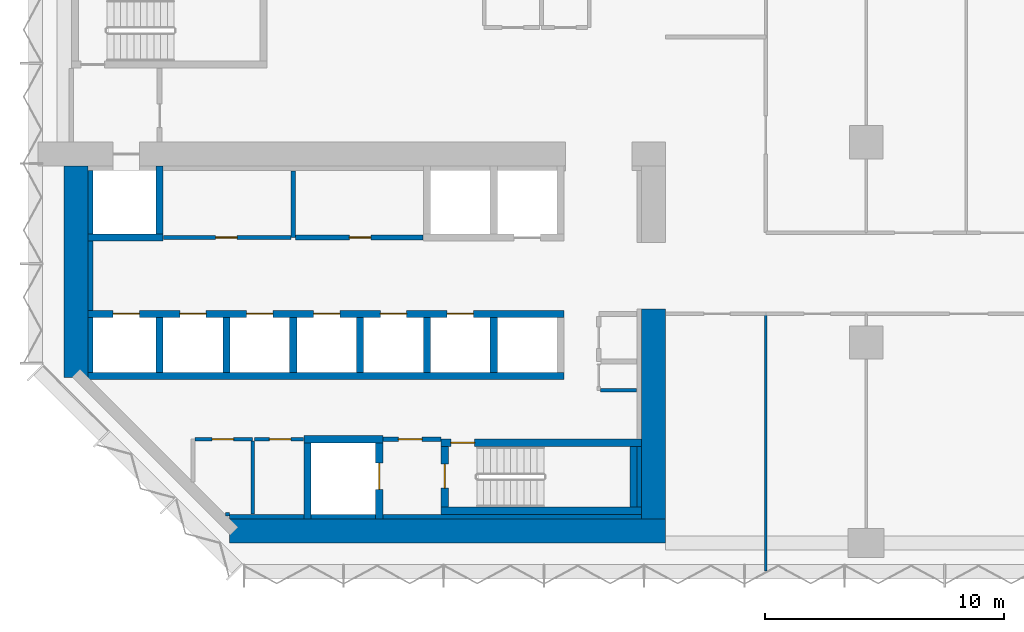
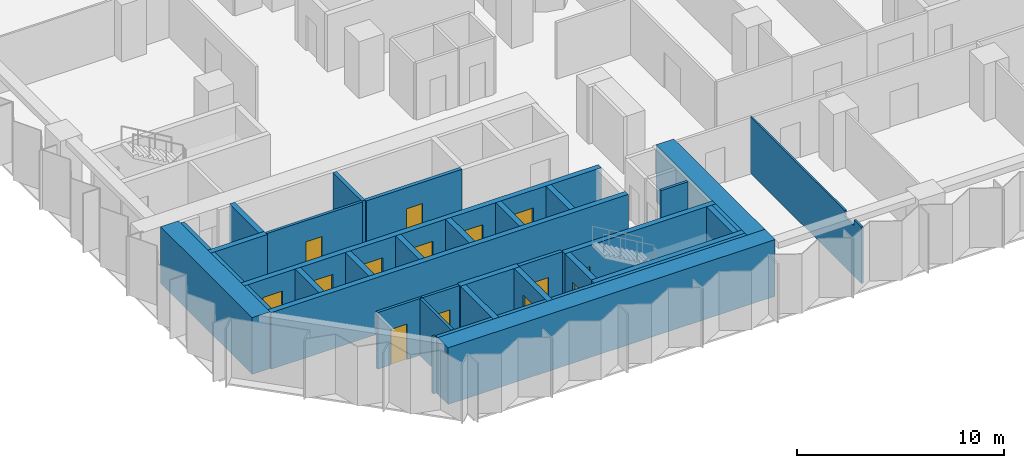
# One storey, part 7 of 15: 37 walls, 14 doors, 14 openings.
"""IFC4 building model written with IfcOpenShell, lengths in metres."""

from ifc_helpers import new_model, si_unit, direction, frame, frame_2d, origin, place, context, subcontext, project, spatial, polyline, rectangle, outline, extrude, material, layer, layer_set, type_object, element, fill, save


model = new_model("IFC4")

# Units and contexts
model_context = context("Model", 3, precision=1e-05, world=origin(), true_north=direction((0.0, 1.0)))
body_context = subcontext(model_context, "Body", "Model", "MODEL_VIEW")
ifc_project = project(units=[si_unit("LENGTHUNIT", "METRE"), si_unit("AREAUNIT", "SQUARE_METRE"), si_unit("VOLUMEUNIT", "CUBIC_METRE"), si_unit("PLANEANGLEUNIT", "RADIAN"), si_unit("MASSUNIT", "GRAM", prefix="KILO")], contexts=[model_context])

# Site, building, storey
site_placement = place(None, origin())
site = spatial("IfcSite", under=ifc_project, at=site_placement, CompositionType="ELEMENT")
building_placement = place(site_placement, origin())
building = spatial("IfcBuilding", under=site, at=building_placement, Name="Brevane Broadcast Tower", CompositionType="ELEMENT")
storey_placement = place(building_placement, frame((0.0, 0.0, 61.699951171875)))
storey = spatial("IfcBuildingStorey", under=building, at=storey_placement, Name="L13", CompositionType="ELEMENT", Elevation=61.699951171875)

# Walls
ifc_material_1 = material(Name="Concrete C32/40", Category="concrete")
ifc_layer_1 = layer(ifc_material_1, 0.199951171875)
ifc_layer_set_1 = layer_set([ifc_layer_1], Name="Core chase wall 200 mm")
wall_type_1 = type_object("IfcWallType", Name="Core chase wall 200 mm", PredefinedType="PARTITIONING", material=ifc_layer_set_1)
wall_1_placement = place(storey_placement, frame((1.10009765625, 7.14990234375, 0.0), z_axis=(0.0, 0.0, 1.0), x_axis=(0.0, 1.0, 0.0)))
element("IfcWall", 1, at=wall_1_placement, inside=storey, type_object=wall_type_1, Name="L13 chase wall LW-2-1", PredefinedType="PARTITIONING", context=body_context, shape_type="SweptSolid", body=[
    extrude(rectangle(XDim=2.300048828125, YDim=0.199951171875, at=frame_2d((1.14990234375, 0.0))), origin(), (0.0, 0.0, 1.0), 3.35009765625),
])
wall_2_placement = place(storey_placement, frame((1.10009765625, 9.75, 0.0), z_axis=(0.0, 0.0, 1.0), x_axis=(0.0, 1.0, 0.0)))
element("IfcWall", 2, at=wall_2_placement, inside=storey, type_object=wall_type_1, Name="L13 chase wall LW-2-2-1", PredefinedType="PARTITIONING", context=body_context, shape_type="SweptSolid", body=[
    extrude(rectangle(XDim=2.89990234375, YDim=0.199951171875, at=frame_2d((1.449951171875, 0.0))), origin(), (0.0, 0.0, 1.0), 3.35009765625),
])
wall_3_placement = place(storey_placement, frame((1.10009765625, 12.949951171875, 0.0), z_axis=(0.0, 0.0, 1.0), x_axis=(0.0, 1.0, 0.0)))
element("IfcWall", 3, at=wall_3_placement, inside=storey, type_object=wall_type_1, Name="L13 chase wall LW-2-2-2", PredefinedType="PARTITIONING", context=body_context, shape_type="SweptSolid", body=[
    extrude(rectangle(XDim=2.650146484375, YDim=0.199951171875, at=frame_2d((1.3251953125, 0.0))), origin(), (0.0, 0.0, 1.0), 3.35009765625),
])
wall_4_placement = place(storey_placement, frame((6.936279296875, 1.10009765625, 0.0), z_axis=(0.0, 0.0, 1.0), x_axis=(1.0, 0.0, 0.0)))
element("IfcWall", 4, at=wall_4_placement, inside=storey, type_object=wall_type_1, Name="L13 chase wall LS-1", PredefinedType="PARTITIONING", context=body_context, shape_type="SweptSolid", body=[
    extrude(rectangle(XDim=3.11376953125, YDim=0.199951171875, at=frame_2d((1.556884765625, 0.0))), origin(), (0.0, 0.0, 1.0), 3.35009765625),
])
wall_5_placement = place(storey_placement, frame((10.35009765625, 1.10009765625, 0.0), z_axis=(0.0, 0.0, 1.0), x_axis=(1.0, 0.0, 0.0)))
element("IfcWall", 5, at=wall_5_placement, inside=storey, type_object=wall_type_1, Name="L13 chase wall LS-2-1", PredefinedType="PARTITIONING", context=body_context, shape_type="SweptSolid", body=[
    extrude(rectangle(XDim=2.699951171875, YDim=0.199951171875, at=frame_2d((1.35009765625, 0.0))), origin(), (0.0, 0.0, 1.0), 3.35009765625),
])
wall_6_placement = place(storey_placement, frame((13.35009765625, 1.10009765625, 0.0), z_axis=(0.0, 0.0, 1.0), x_axis=(1.0, 0.0, 0.0)))
element("IfcWall", 6, at=wall_6_placement, inside=storey, type_object=wall_type_1, Name="L13 chase wall LS-2-2", PredefinedType="PARTITIONING", context=body_context, shape_type="SweptSolid", body=[
    extrude(rectangle(XDim=10.849853515625, YDim=0.199951171875, at=frame_2d((5.4248046875, 0.0))), origin(), (0.0, 0.0, 1.0), 3.35009765625),
])
wall_7_placement = place(storey_placement, frame((24.10009765625, 1.5, 0.0), z_axis=(0.0, 0.0, 1.0), x_axis=(0.0, 1.0, 0.0)))
element("IfcWall", 7, at=wall_7_placement, inside=storey, type_object=wall_type_1, Name="L13 chase wall LE1-2-1", PredefinedType="PARTITIONING", context=body_context, shape_type="SweptSolid", body=[
    extrude(rectangle(XDim=2.550048828125, YDim=0.199951171875, at=frame_2d((1.27490234375, 0.0))), origin(), (0.0, 0.0, 1.0), 3.35009765625),
])

# Wall, opening, door
ifc_material_2 = material(Name="Gypsum board on steel studs", Category="steel")
ifc_layer_2 = layer(ifc_material_2, 0.14990234375)
ifc_layer_set_2 = layer_set([ifc_layer_2], Name="Core fire partition 150 mm")
wall_type_2 = type_object("IfcWallType", Name="Core fire partition 150 mm", PredefinedType="PARTITIONING", material=ifc_layer_set_2)
wall_8_placement = place(storey_placement, frame((4.162109375, 12.800048828125, 0.0), z_axis=(0.0, 0.0, 1.0), x_axis=(1.0, 0.0, 0.0)))
wall_8 = element("IfcWall", 8, at=wall_8_placement, inside=storey, type_object=wall_type_2, Name="L13 partition wall P09", PredefinedType="PARTITIONING", context=body_context, shape_type="SweptSolid", body=[
    extrude(rectangle(XDim=5.337890625, YDim=0.14990234375, at=frame_2d((2.6689453125, 0.0))), origin(), (0.0, 0.0, 1.0), 3.35009765625),
])
opening_1_placement = place(wall_8_placement, frame((2.18798828125, 0.0, 0.0)))
opening_1 = element("IfcOpeningElement", 9, at=opening_1_placement, cuts=wall_8, Name="Opening L13-K21", PredefinedType="OPENING", context=body_context, shape_type="SweptSolid", body=[
    extrude(rectangle(XDim=0.89990234375, YDim=2.10009765625, at=frame_2d((0.449951171875, 1.050048828125))), frame((0.0, 0.0849609375, 0.0), z_axis=(0.0, -1.0, 0.0), x_axis=(1.0, 0.0, 0.0)), (0.0, 0.0, 1.0), 0.169921875),
])
ifc_material_3 = material(Name="Steel", Category="steel")
door_type_1 = type_object("IfcDoorType", Name="Service room door 900 x 2100", OperationType="SINGLE_SWING_LEFT", PredefinedType="DOOR", material=ifc_material_3)
door_1_placement = place(opening_1_placement, origin())
door_1 = element("IfcDoor", 10, at=door_1_placement, inside=storey, type_object=door_type_1, Name="Door L13-K21", OperationType="SINGLE_SWING_RIGHT", OverallHeight=2.10009765625, OverallWidth=0.89990234375, PredefinedType="DOOR", context=body_context, shape_type="SweptSolid", body=[
    extrude(rectangle(XDim=0.89990234375, YDim=2.10009765625, at=frame_2d((0.449951171875, 1.050048828125))), frame((0.0, 0.02490234375, 0.0), z_axis=(0.0, -1.0, 0.0), x_axis=(1.0, 0.0, 0.0)), (0.0, 0.0, 1.0), 0.050048828125),
])
fill(opening_1, door_1)

wall_9_placement = place(storey_placement, frame((5.47509765625, 4.35009765625, 0.0), z_axis=(0.0, 0.0, 1.0), x_axis=(1.0, 0.0, 0.0)))
wall_9 = element("IfcWall", 11, at=wall_9_placement, inside=storey, type_object=wall_type_2, Name="L13 partition wall P11", PredefinedType="PARTITIONING", context=body_context, shape_type="SweptSolid", body=[
    extrude(rectangle(XDim=2.4248046875, YDim=0.14990234375, at=frame_2d((1.21240234375, 0.0))), origin(), (0.0, 0.0, 1.0), 3.35009765625),
])
opening_2_placement = place(wall_9_placement, frame((0.72509765625, 0.0, 0.0)))
opening_2 = element("IfcOpeningElement", 12, at=opening_2_placement, cuts=wall_9, Name="Opening L13-K16", PredefinedType="OPENING", context=body_context, shape_type="SweptSolid", body=[
    extrude(rectangle(XDim=0.89990234375, YDim=2.10009765625, at=frame_2d((0.449951171875, 1.050048828125))), frame((0.0, 0.0849609375, 0.0), z_axis=(0.0, -1.0, 0.0), x_axis=(1.0, 0.0, 0.0)), (0.0, 0.0, 1.0), 0.169921875),
])
ifc_material_4 = material(Name="Timber", Category="wood")
door_type_2 = type_object("IfcDoorType", Name="Toilet door 900 x 2100", OperationType="SINGLE_SWING_LEFT", PredefinedType="DOOR", material=ifc_material_4)
door_2_placement = place(opening_2_placement, origin())
door_2 = element("IfcDoor", 13, at=door_2_placement, inside=storey, type_object=door_type_2, Name="Door L13-K16", OperationType="SINGLE_SWING_LEFT", OverallHeight=2.10009765625, OverallWidth=0.89990234375, PredefinedType="DOOR", context=body_context, shape_type="SweptSolid", body=[
    extrude(rectangle(XDim=0.89990234375, YDim=2.10009765625, at=frame_2d((0.449951171875, 1.050048828125))), frame((0.0, 0.02490234375, 0.0), z_axis=(0.0, -1.0, 0.0), x_axis=(1.0, 0.0, 0.0)), (0.0, 0.0, 1.0), 0.050048828125),
])
fill(opening_2, door_2)

# Walls
wall_10_placement = place(storey_placement, frame((7.89990234375, 4.27490234375, 0.0), z_axis=(0.0, 0.0, 1.0), x_axis=(0.0, -1.0, 0.0)))
element("IfcWall", 14, at=wall_10_placement, inside=storey, type_object=wall_type_2, Name="L13 partition wall P12", PredefinedType="PARTITIONING", context=body_context, shape_type="SweptSolid", body=[
    extrude(rectangle(XDim=3.06298828125, YDim=0.14990234375, at=frame_2d((1.531494140625, 0.0))), origin(), (0.0, 0.0, 1.0), 3.35009765625),
])
wall_11_placement = place(storey_placement, frame((6.92431640625, 1.199951171875, 0.0), z_axis=(0.0, 0.0, 1.0), x_axis=(-1.0, 0.0, 0.0)))
element("IfcWall", 15, at=wall_11_placement, inside=storey, type_object=wall_type_2, Name="L13 partition wall P13", PredefinedType="PARTITIONING", context=body_context, shape_type="SweptSolid", body=[
    extrude(rectangle(XDim=0.1708984375, YDim=0.14990234375, at=frame_2d((0.08544921875, 0.0))), origin(), (0.0, 0.0, 1.0), 3.35009765625),
])

# Wall, opening, door
wall_12_placement = place(storey_placement, frame((10.0380859375, 4.35009765625, 0.0), z_axis=(0.0, 0.0, 1.0), x_axis=(-1.0, 0.0, 0.0)))
wall_12 = element("IfcWall", 16, at=wall_12_placement, inside=storey, type_object=wall_type_2, Name="L13 partition wall P14", PredefinedType="PARTITIONING", context=body_context, shape_type="SweptSolid", body=[
    extrude(rectangle(XDim=2.06298828125, YDim=0.14990234375, at=frame_2d((1.031494140625, 0.0))), origin(), (0.0, 0.0, 1.0), 3.35009765625),
])
opening_3_placement = place(wall_12_placement, frame((0.5380859375, 0.0, 0.0)))
opening_3 = element("IfcOpeningElement", 17, at=opening_3_placement, cuts=wall_12, Name="Opening L13-K17", PredefinedType="OPENING", context=body_context, shape_type="SweptSolid", body=[
    extrude(rectangle(XDim=0.89990234375, YDim=2.10009765625, at=frame_2d((0.449951171875, 1.050048828125))), frame((0.0, 0.0849609375, 0.0), z_axis=(0.0, -1.0, 0.0), x_axis=(1.0, 0.0, 0.0)), (0.0, 0.0, 1.0), 0.169921875),
])
door_3_placement = place(opening_3_placement, origin())
door_3 = element("IfcDoor", 18, at=door_3_placement, inside=storey, type_object=door_type_2, Name="Door L13-K17", OperationType="SINGLE_SWING_RIGHT", OverallHeight=2.10009765625, OverallWidth=0.89990234375, PredefinedType="DOOR", context=body_context, shape_type="SweptSolid", body=[
    extrude(rectangle(XDim=0.89990234375, YDim=2.10009765625, at=frame_2d((0.449951171875, 1.050048828125))), frame((0.0, 0.02490234375, 0.0), z_axis=(0.0, -1.0, 0.0), x_axis=(1.0, 0.0, 0.0)), (0.0, 0.0, 1.0), 0.050048828125),
])
fill(opening_3, door_3)

# Wall
wall_13_placement = place(storey_placement, frame((22.47509765625, 6.39990234375, 0.0), z_axis=(0.0, 0.0, 1.0), x_axis=(1.0, 0.0, 0.0)))
element("IfcWall", 19, at=wall_13_placement, inside=storey, type_object=wall_type_2, Name="L13 partition wall P23", PredefinedType="PARTITIONING", context=body_context, shape_type="SweptSolid", body=[
    extrude(rectangle(XDim=1.512939453125, YDim=0.14990234375, at=frame_2d((0.75634765625, 0.0))), origin(), (0.0, 0.0, 1.0), 3.35009765625),
])

# Wall, opening, door
ifc_layer_3 = layer(ifc_material_2, 0.199951171875)
ifc_layer_set_3 = layer_set([ifc_layer_3], Name="Core fire partition 200 mm")
wall_type_3 = type_object("IfcWallType", Name="Core fire partition 200 mm", PredefinedType="PARTITIONING", material=ifc_layer_set_3)
wall_14_placement = place(storey_placement, frame((13.362060546875, 4.35009765625, 0.0), z_axis=(0.0, 0.0, 1.0), x_axis=(1.0, 0.0, 0.0)))
wall_14 = element("IfcWall", 20, at=wall_14_placement, inside=storey, type_object=wall_type_3, Name="L13 partition wall P03", PredefinedType="PARTITIONING", context=body_context, shape_type="SweptSolid", body=[
    extrude(rectangle(XDim=2.426025390625, YDim=0.199951171875, at=frame_2d((1.212890625, 0.0))), origin(), (0.0, 0.0, 1.0), 3.35009765625),
])
opening_4_placement = place(wall_14_placement, frame((0.637939453125, 0.0, 0.0)))
opening_4 = element("IfcOpeningElement", 21, at=opening_4_placement, cuts=wall_14, Name="Opening L13-K18", PredefinedType="OPENING", context=body_context, shape_type="SweptSolid", body=[
    extrude(rectangle(XDim=1.0, YDim=2.10009765625, at=frame_2d((0.5, 1.050048828125))), frame((0.0, 0.10986328125, 0.0), z_axis=(0.0, -1.0, 0.0), x_axis=(1.0, 0.0, 0.0)), (0.0, 0.0, 1.0), 0.219970703125),
])
door_type_3 = type_object("IfcDoorType", Name="Stair door 1000 x 2100", OperationType="SINGLE_SWING_LEFT", PredefinedType="DOOR", material=ifc_material_3)
door_4_placement = place(opening_4_placement, origin())
door_4 = element("IfcDoor", 22, at=door_4_placement, inside=storey, type_object=door_type_3, Name="Door L13-K18", OperationType="SINGLE_SWING_LEFT", OverallHeight=2.10009765625, OverallWidth=1.0, PredefinedType="DOOR", context=body_context, shape_type="SweptSolid", body=[
    extrude(rectangle(XDim=1.0, YDim=2.10009765625, at=frame_2d((0.5, 1.050048828125))), frame((0.0, 0.02490234375, 0.0), z_axis=(0.0, -1.0, 0.0), x_axis=(1.0, 0.0, 0.0)), (0.0, 0.0, 1.0), 0.050048828125),
])
fill(opening_4, door_4)

# Wall
wall_15_placement = place(storey_placement, frame((9.60009765625, 15.587890625, 0.0), z_axis=(0.0, 0.0, 1.0), x_axis=(0.0, -1.0, 0.0)))
element("IfcWall", 23, at=wall_15_placement, inside=storey, type_object=wall_type_3, Name="L13 partition wall P04", PredefinedType="PARTITIONING", context=body_context, shape_type="SweptSolid", body=[
    extrude(rectangle(XDim=2.787841796875, YDim=0.199951171875, at=frame_2d((1.39404296875, 0.0))), origin(), (0.0, 0.0, 1.0), 3.35009765625),
])

# Wall, opening, door
wall_16_placement = place(storey_placement, frame((9.699951171875, 12.800048828125, 0.0), z_axis=(0.0, 0.0, 1.0), x_axis=(1.0, 0.0, 0.0)))
wall_16 = element("IfcWall", 24, at=wall_16_placement, inside=storey, type_object=wall_type_3, Name="L13 partition wall P05", PredefinedType="PARTITIONING", context=body_context, shape_type="SweptSolid", body=[
    extrude(rectangle(XDim=5.338134765625, YDim=0.199951171875, at=frame_2d((2.6689453125, 0.0))), origin(), (0.0, 0.0, 1.0), 3.35009765625),
])
opening_5_placement = place(wall_16_placement, frame((2.25, 0.0, 0.0)))
opening_5 = element("IfcOpeningElement", 25, at=opening_5_placement, cuts=wall_16, Name="Opening L13-K22", PredefinedType="OPENING", context=body_context, shape_type="SweptSolid", body=[
    extrude(rectangle(XDim=0.89990234375, YDim=2.10009765625, at=frame_2d((0.449951171875, 1.050048828125))), frame((0.0, 0.10986328125, 0.0), z_axis=(0.0, -1.0, 0.0), x_axis=(1.0, 0.0, 0.0)), (0.0, 0.0, 1.0), 0.219970703125),
])
door_5_placement = place(opening_5_placement, origin())
door_5 = element("IfcDoor", 26, at=door_5_placement, inside=storey, type_object=door_type_1, Name="Door L13-K22", OperationType="SINGLE_SWING_LEFT", OverallHeight=2.10009765625, OverallWidth=0.89990234375, PredefinedType="DOOR", context=body_context, shape_type="SweptSolid", body=[
    extrude(rectangle(XDim=0.89990234375, YDim=2.10009765625, at=frame_2d((0.449951171875, 1.050048828125))), frame((0.0, 0.02490234375, 0.0), z_axis=(0.0, -1.0, 0.0), x_axis=(1.0, 0.0, 0.0)), (0.0, 0.0, 1.0), 0.050048828125),
])
fill(opening_5, door_5)

# Walls
ifc_material_5 = material(Name="Concrete C80/95", Category="concrete")
ifc_layer_4 = layer(ifc_material_5, 1.0)
ifc_layer_set_4 = layer_set([ifc_layer_4], Name="Core wall 1000 mm C80/95")
wall_type_4 = type_object("IfcWallType", Name="Core wall 1000 mm C80/95", PredefinedType="SHEAR", material=ifc_layer_set_4)
wall_17_placement = place(storey_placement, frame((6.936279296875, 0.5, 0.0), z_axis=(0.0, 0.0, 1.0), x_axis=(1.0, 0.0, 0.0)))
element("IfcWall", 27, at=wall_17_placement, inside=storey, type_object=wall_type_4, Name="L13 outer wall WS", PredefinedType="SHEAR", context=body_context, shape_type="SweptSolid", body=[
    extrude(rectangle(XDim=18.263671875, YDim=1.0, at=frame_2d((9.1318359375, 0.0))), origin(), (0.0, 0.0, 1.0), 3.35009765625),
])
wall_18_placement = place(storey_placement, frame((0.5, 6.936279296875, 0.0), z_axis=(0.0, 0.0, 1.0), x_axis=(0.0, 1.0, 0.0)))
element("IfcWall", 28, at=wall_18_placement, inside=storey, type_object=wall_type_4, Name="L13 outer wall WW", PredefinedType="SHEAR", context=body_context, shape_type="SweptSolid", body=[
    extrude(rectangle(XDim=8.86376953125, YDim=1.0, at=frame_2d((4.431884765625, 0.0))), origin(), (0.0, 0.0, 1.0), 3.35009765625),
])
wall_19_placement = place(storey_placement, frame((24.699951171875, 1.0, 0.0), z_axis=(0.0, 0.0, 1.0), x_axis=(0.0, 1.0, 0.0)))
element("IfcWall", 29, at=wall_19_placement, inside=storey, type_object=wall_type_4, Name="L13 outer wall WE1", PredefinedType="SHEAR", context=body_context, shape_type="SweptSolid", body=[
    extrude(rectangle(XDim=8.800048828125, YDim=1.0, at=frame_2d((4.39990234375, 0.0))), origin(), (0.0, 0.0, 1.0), 3.35009765625),
])
ifc_layer_5 = layer(ifc_material_5, 0.300048828125)
ifc_layer_set_5 = layer_set([ifc_layer_5], Name="Core wall 300 mm C80/95")
wall_type_5 = type_object("IfcWallType", Name="Core wall 300 mm C80/95", PredefinedType="SHEAR", material=ifc_layer_set_5)
wall_20_placement = place(storey_placement, frame((1.0, 7.0, 0.0), z_axis=(0.0, 0.0, 1.0), x_axis=(1.0, 0.0, 0.0)))
element("IfcWall", 30, at=wall_20_placement, inside=storey, type_object=wall_type_5, Name="L13 shaft wall SH-S012-back", PredefinedType="SHEAR", context=body_context, shape_type="SweptSolid", body=[
    extrude(rectangle(XDim=19.949951171875, YDim=0.300048828125, at=frame_2d((9.97509765625, 0.0))), origin(), (0.0, 0.0, 1.0), 3.35009765625),
])

# Wall, openings, doors
wall_21_placement = place(storey_placement, frame((1.0, 9.60009765625, 0.0), z_axis=(0.0, 0.0, 1.0), x_axis=(1.0, 0.0, 0.0)))
wall_21 = element("IfcWall", 31, at=wall_21_placement, inside=storey, type_object=wall_type_5, Name="L13 shaft wall SH-S012-front", PredefinedType="SHEAR", context=body_context, shape_type="SweptSolid", body=[
    extrude(rectangle(XDim=19.949951171875, YDim=0.300048828125, at=frame_2d((9.97509765625, 0.0))), origin(), (0.0, 0.0, 1.0), 3.35009765625),
])
opening_6_placement = place(wall_21_placement, frame((1.050048828125, 0.0, 0.0)))
opening_6 = element("IfcOpeningElement", 32, at=opening_6_placement, cuts=wall_21, Name="Opening LD", PredefinedType="OPENING", context=body_context, shape_type="SweptSolid", body=[
    extrude(rectangle(XDim=1.10009765625, YDim=2.300048828125, at=frame_2d((0.550048828125, 1.14990234375))), frame((0.0, 0.159912109375, 0.0), z_axis=(0.0, -1.0, 0.0), x_axis=(1.0, 0.0, 0.0)), (0.0, 0.0, 1.0), 0.320068359375),
])
opening_7_placement = place(wall_21_placement, frame((3.85009765625, 0.0, 0.0)))
opening_7 = element("IfcOpeningElement", 33, at=opening_7_placement, cuts=wall_21, Name="Opening LD", PredefinedType="OPENING", context=body_context, shape_type="SweptSolid", body=[
    extrude(rectangle(XDim=1.10009765625, YDim=2.300048828125, at=frame_2d((0.550048828125, 1.14990234375))), frame((0.0, 0.159912109375, 0.0), z_axis=(0.0, -1.0, 0.0), x_axis=(1.0, 0.0, 0.0)), (0.0, 0.0, 1.0), 0.320068359375),
])
opening_8_placement = place(wall_21_placement, frame((6.64990234375, 0.0, 0.0)))
opening_8 = element("IfcOpeningElement", 34, at=opening_8_placement, cuts=wall_21, Name="Opening LD", PredefinedType="OPENING", context=body_context, shape_type="SweptSolid", body=[
    extrude(rectangle(XDim=1.10009765625, YDim=2.300048828125, at=frame_2d((0.550048828125, 1.14990234375))), frame((0.0, 0.159912109375, 0.0), z_axis=(0.0, -1.0, 0.0), x_axis=(1.0, 0.0, 0.0)), (0.0, 0.0, 1.0), 0.320068359375),
])
opening_9_placement = place(wall_21_placement, frame((9.449951171875, 0.0, 0.0)))
opening_9 = element("IfcOpeningElement", 35, at=opening_9_placement, cuts=wall_21, Name="Opening LD", PredefinedType="OPENING", context=body_context, shape_type="SweptSolid", body=[
    extrude(rectangle(XDim=1.10009765625, YDim=2.300048828125, at=frame_2d((0.550048828125, 1.14990234375))), frame((0.0, 0.159912109375, 0.0), z_axis=(0.0, -1.0, 0.0), x_axis=(1.0, 0.0, 0.0)), (0.0, 0.0, 1.0), 0.320068359375),
])
opening_10_placement = place(wall_21_placement, frame((12.25, 0.0, 0.0)))
opening_10 = element("IfcOpeningElement", 36, at=opening_10_placement, cuts=wall_21, Name="Opening LD", PredefinedType="OPENING", context=body_context, shape_type="SweptSolid", body=[
    extrude(rectangle(XDim=1.10009765625, YDim=2.300048828125, at=frame_2d((0.550048828125, 1.14990234375))), frame((0.0, 0.159912109375, 0.0), z_axis=(0.0, -1.0, 0.0), x_axis=(1.0, 0.0, 0.0)), (0.0, 0.0, 1.0), 0.320068359375),
])
opening_11_placement = place(wall_21_placement, frame((15.050048828125, 0.0, 0.0)))
opening_11 = element("IfcOpeningElement", 37, at=opening_11_placement, cuts=wall_21, Name="Opening LD", PredefinedType="OPENING", context=body_context, shape_type="SweptSolid", body=[
    extrude(rectangle(XDim=1.10009765625, YDim=2.300048828125, at=frame_2d((0.550048828125, 1.14990234375))), frame((0.0, 0.159912109375, 0.0), z_axis=(0.0, -1.0, 0.0), x_axis=(1.0, 0.0, 0.0)), (0.0, 0.0, 1.0), 0.320068359375),
])
ifc_material_6 = material(Name="Stainless steel", Category="steel")
door_type_4 = type_object("IfcDoorType", Name="Lift landing door", OperationType="SLIDING_TO_LEFT", PredefinedType="DOOR", material=ifc_material_6)
door_6_placement = place(opening_6_placement, origin())
door_6 = element("IfcDoor", 38, at=door_6_placement, inside=storey, type_object=door_type_4, Name="Landing door LR1 L13", OperationType="SLIDING_TO_LEFT", OverallHeight=2.300048828125, OverallWidth=1.10009765625, PredefinedType="DOOR", context=body_context, shape_type="SweptSolid", body=[
    extrude(rectangle(XDim=1.10009765625, YDim=2.300048828125, at=frame_2d((0.550048828125, 1.14990234375))), frame((0.0, 0.02490234375, 0.0), z_axis=(0.0, -1.0, 0.0), x_axis=(1.0, 0.0, 0.0)), (0.0, 0.0, 1.0), 0.050048828125),
])
fill(opening_6, door_6)
door_7_placement = place(opening_7_placement, origin())
door_7 = element("IfcDoor", 39, at=door_7_placement, inside=storey, type_object=door_type_4, Name="Landing door LR2 L13", OperationType="SLIDING_TO_LEFT", OverallHeight=2.300048828125, OverallWidth=1.10009765625, PredefinedType="DOOR", context=body_context, shape_type="SweptSolid", body=[
    extrude(rectangle(XDim=1.10009765625, YDim=2.300048828125, at=frame_2d((0.550048828125, 1.14990234375))), frame((0.0, 0.02490234375, 0.0), z_axis=(0.0, -1.0, 0.0), x_axis=(1.0, 0.0, 0.0)), (0.0, 0.0, 1.0), 0.050048828125),
])
fill(opening_7, door_7)
door_8_placement = place(opening_8_placement, origin())
door_8 = element("IfcDoor", 40, at=door_8_placement, inside=storey, type_object=door_type_4, Name="Landing door LR3 L13", OperationType="SLIDING_TO_LEFT", OverallHeight=2.300048828125, OverallWidth=1.10009765625, PredefinedType="DOOR", context=body_context, shape_type="SweptSolid", body=[
    extrude(rectangle(XDim=1.10009765625, YDim=2.300048828125, at=frame_2d((0.550048828125, 1.14990234375))), frame((0.0, 0.02490234375, 0.0), z_axis=(0.0, -1.0, 0.0), x_axis=(1.0, 0.0, 0.0)), (0.0, 0.0, 1.0), 0.050048828125),
])
fill(opening_8, door_8)
door_9_placement = place(opening_9_placement, origin())
door_9 = element("IfcDoor", 41, at=door_9_placement, inside=storey, type_object=door_type_4, Name="Landing door LR4 L13", OperationType="SLIDING_TO_LEFT", OverallHeight=2.300048828125, OverallWidth=1.10009765625, PredefinedType="DOOR", context=body_context, shape_type="SweptSolid", body=[
    extrude(rectangle(XDim=1.10009765625, YDim=2.300048828125, at=frame_2d((0.550048828125, 1.14990234375))), frame((0.0, 0.02490234375, 0.0), z_axis=(0.0, -1.0, 0.0), x_axis=(1.0, 0.0, 0.0)), (0.0, 0.0, 1.0), 0.050048828125),
])
fill(opening_9, door_9)
door_10_placement = place(opening_10_placement, origin())
door_10 = element("IfcDoor", 42, at=door_10_placement, inside=storey, type_object=door_type_4, Name="Landing door LR5 L13", OperationType="SLIDING_TO_LEFT", OverallHeight=2.300048828125, OverallWidth=1.10009765625, PredefinedType="DOOR", context=body_context, shape_type="SweptSolid", body=[
    extrude(rectangle(XDim=1.10009765625, YDim=2.300048828125, at=frame_2d((0.550048828125, 1.14990234375))), frame((0.0, 0.02490234375, 0.0), z_axis=(0.0, -1.0, 0.0), x_axis=(1.0, 0.0, 0.0)), (0.0, 0.0, 1.0), 0.050048828125),
])
fill(opening_10, door_10)
door_11_placement = place(opening_11_placement, origin())
door_11 = element("IfcDoor", 43, at=door_11_placement, inside=storey, type_object=door_type_4, Name="Landing door LR6 L13", OperationType="SLIDING_TO_LEFT", OverallHeight=2.300048828125, OverallWidth=1.10009765625, PredefinedType="DOOR", context=body_context, shape_type="SweptSolid", body=[
    extrude(rectangle(XDim=1.10009765625, YDim=2.300048828125, at=frame_2d((0.550048828125, 1.14990234375))), frame((0.0, 0.02490234375, 0.0), z_axis=(0.0, -1.0, 0.0), x_axis=(1.0, 0.0, 0.0)), (0.0, 0.0, 1.0), 0.050048828125),
])
fill(opening_11, door_11)

# Walls
for number, where, z_axis, x_axis, name in (
    (44, (4.0, 7.14990234375, 0.0), (0.0, 0.0, 1.0), (0.0, 1.0, 0.0), "L13 shaft wall SH-S-P040"),
    (45, (6.800048828125, 7.14990234375, 0.0), (0.0, 0.0, 1.0), (0.0, 1.0, 0.0), "L13 shaft wall SH-S-P068"),
    (46, (9.60009765625, 7.14990234375, 0.0), (0.0, 0.0, 1.0), (0.0, 1.0, 0.0), "L13 shaft wall SH-S-P096"),
    (47, (12.39990234375, 7.14990234375, 0.0), (0.0, 0.0, 1.0), (0.0, 1.0, 0.0), "L13 shaft wall SH-S-P124"),
    (48, (15.199951171875, 7.14990234375, 0.0), (0.0, 0.0, 1.0), (0.0, 1.0, 0.0), "L13 shaft wall SH-S-P152"),
    (49, (18.0, 7.14990234375, 0.0), (0.0, 0.0, 1.0), (0.0, 1.0, 0.0), "L13 shaft wall SH-S-P180"),
):
    element("IfcWall", number, at=place(storey_placement, frame(where, z_axis=z_axis, x_axis=x_axis)), inside=storey, type_object=wall_type_5, Name=name, PredefinedType="SHEAR", context=body_context, shape_type="SweptSolid", body=[
        extrude(rectangle(XDim=2.300048828125, YDim=0.300048828125, at=frame_2d((1.14990234375, 0.0))), origin(), (0.0, 0.0, 1.0), 3.35009765625),
    ])
wall_22_placement = place(storey_placement, frame((1.0, 12.800048828125, 0.0), z_axis=(0.0, 0.0, 1.0), x_axis=(1.0, 0.0, 0.0)))
element("IfcWall", 50, at=wall_22_placement, inside=storey, type_object=wall_type_5, Name="L13 shaft wall SH-N012-front", PredefinedType="SHEAR", context=body_context, shape_type="SweptSolid", body=[
    extrude(rectangle(XDim=3.14990234375, YDim=0.300048828125, at=frame_2d((1.574951171875, 0.0))), origin(), (0.0, 0.0, 1.0), 3.35009765625),
])
wall_23_placement = place(storey_placement, frame((4.0, 12.949951171875, 0.0), z_axis=(0.0, 0.0, 1.0), x_axis=(0.0, 1.0, 0.0)))
element("IfcWall", 51, at=wall_23_placement, inside=storey, type_object=wall_type_5, Name="L13 shaft wall SH-N-P040", PredefinedType="SHEAR", context=body_context, shape_type="SweptSolid", body=[
    extrude(rectangle(XDim=2.85009765625, YDim=0.300048828125, at=frame_2d((1.425048828125, 0.0))), origin(), (0.0, 0.0, 1.0), 3.35009765625),
])
wall_24_placement = place(storey_placement, frame((10.199951171875, 1.0, 0.0), z_axis=(0.0, 0.0, 1.0), x_axis=(0.0, 1.0, 0.0)))
element("IfcWall", 52, at=wall_24_placement, inside=storey, type_object=wall_type_5, Name="L13 shaft wall FF2-W", PredefinedType="SHEAR", context=body_context, shape_type="SweptSolid", body=[
    extrude(rectangle(XDim=3.199951171875, YDim=0.300048828125, at=frame_2d((1.60009765625, 0.0))), origin(), (0.0, 0.0, 1.0), 3.35009765625),
])

# Wall, opening, door
wall_25_placement = place(storey_placement, frame((13.199951171875, 1.0, 0.0), z_axis=(0.0, 0.0, 1.0), x_axis=(0.0, 1.0, 0.0)))
wall_25 = element("IfcWall", 53, at=wall_25_placement, inside=storey, type_object=wall_type_5, Name="L13 shaft wall FF2-E", PredefinedType="SHEAR", context=body_context, shape_type="SweptSolid", body=[
    extrude(rectangle(XDim=3.199951171875, YDim=0.300048828125, at=frame_2d((1.60009765625, 0.0))), origin(), (0.0, 0.0, 1.0), 3.35009765625),
])
opening_12_placement = place(wall_25_placement, frame((1.25, 0.0, 0.0)))
opening_12 = element("IfcOpeningElement", 54, at=opening_12_placement, cuts=wall_25, Name="Opening LD", PredefinedType="OPENING", context=body_context, shape_type="SweptSolid", body=[
    extrude(rectangle(XDim=1.10009765625, YDim=2.300048828125, at=frame_2d((0.550048828125, 1.14990234375))), frame((0.0, 0.159912109375, 0.0), z_axis=(0.0, -1.0, 0.0), x_axis=(1.0, 0.0, 0.0)), (0.0, 0.0, 1.0), 0.320068359375),
])
door_12_placement = place(opening_12_placement, origin())
door_12 = element("IfcDoor", 55, at=door_12_placement, inside=storey, type_object=door_type_4, Name="Landing door FF2 L13", OperationType="SLIDING_TO_LEFT", OverallHeight=2.300048828125, OverallWidth=1.10009765625, PredefinedType="DOOR", context=body_context, shape_type="SweptSolid", body=[
    extrude(rectangle(XDim=1.10009765625, YDim=2.300048828125, at=frame_2d((0.550048828125, 1.14990234375))), frame((0.0, 0.02490234375, 0.0), z_axis=(0.0, -1.0, 0.0), x_axis=(1.0, 0.0, 0.0)), (0.0, 0.0, 1.0), 0.050048828125),
])
fill(opening_12, door_12)

# Walls
wall_26_placement = place(storey_placement, frame((10.050048828125, 4.35009765625, 0.0), z_axis=(0.0, 0.0, 1.0), x_axis=(1.0, 0.0, 0.0)))
element("IfcWall", 56, at=wall_26_placement, inside=storey, type_object=wall_type_5, Name="L13 shaft wall FF2-N", PredefinedType="SHEAR", context=body_context, shape_type="SweptSolid", body=[
    extrude(rectangle(XDim=3.300048828125, YDim=0.300048828125, at=frame_2d((1.64990234375, 0.0))), origin(), (0.0, 0.0, 1.0), 3.35009765625),
])
wall_27_placement = place(storey_placement, frame((15.800048828125, 1.35009765625, 0.0), z_axis=(0.0, 0.0, 1.0), x_axis=(1.0, 0.0, 0.0)))
element("IfcWall", 57, at=wall_27_placement, inside=storey, type_object=wall_type_5, Name="L13 stair wall ST-2-S", PredefinedType="SHEAR", context=body_context, shape_type="SweptSolid", body=[
    extrude(rectangle(XDim=8.39990234375, YDim=0.300048828125, at=frame_2d((4.199951171875, 0.0))), origin(), (0.0, 0.0, 1.0), 3.35009765625),
])

# Wall, opening, door
wall_28_placement = place(storey_placement, frame((15.800048828125, 4.199951171875, 0.0), z_axis=(0.0, 0.0, 1.0), x_axis=(1.0, 0.0, 0.0)))
wall_28 = element("IfcWall", 58, at=wall_28_placement, inside=storey, type_object=wall_type_5, Name="L13 stair wall ST-2-N", PredefinedType="SHEAR", context=body_context, shape_type="SweptSolid", body=[
    extrude(rectangle(XDim=8.39990234375, YDim=0.300048828125, at=frame_2d((4.199951171875, 0.0))), origin(), (0.0, 0.0, 1.0), 3.35009765625),
])
opening_13_placement = place(wall_28_placement, frame((0.39990234375, 0.0, 0.0)))
opening_13 = element("IfcOpeningElement", 59, at=opening_13_placement, cuts=wall_28, Name="Opening L13-K13", PredefinedType="OPENING", context=body_context, shape_type="SweptSolid", body=[
    extrude(rectangle(XDim=1.0, YDim=2.10009765625, at=frame_2d((0.5, 1.050048828125))), frame((0.0, 0.159912109375, 0.0), z_axis=(0.0, -1.0, 0.0), x_axis=(1.0, 0.0, 0.0)), (0.0, 0.0, 1.0), 0.320068359375),
])
door_13_placement = place(opening_13_placement, origin())
door_13 = element("IfcDoor", 60, at=door_13_placement, inside=storey, type_object=door_type_3, Name="Door L13-K13", OperationType="SINGLE_SWING_RIGHT", OverallHeight=2.10009765625, OverallWidth=1.0, PredefinedType="DOOR", context=body_context, shape_type="SweptSolid", body=[
    extrude(rectangle(XDim=1.0, YDim=2.10009765625, at=frame_2d((0.5, 1.050048828125))), frame((0.0, 0.02490234375, 0.0), z_axis=(0.0, -1.0, 0.0), x_axis=(1.0, 0.0, 0.0)), (0.0, 0.0, 1.0), 0.050048828125),
])
fill(opening_13, door_13)

wall_29_placement = place(storey_placement, frame((15.949951171875, 1.5, 0.0), z_axis=(0.0, 0.0, 1.0), x_axis=(0.0, 1.0, 0.0)))
wall_29 = element("IfcWall", 61, at=wall_29_placement, inside=storey, type_object=wall_type_5, Name="L13 stair wall ST-2-W", PredefinedType="SHEAR", context=body_context, shape_type="SweptSolid", body=[
    extrude(rectangle(XDim=2.550048828125, YDim=0.300048828125, at=frame_2d((1.27490234375, 0.0))), origin(), (0.0, 0.0, 1.0), 3.35009765625),
])
opening_14_placement = place(wall_29_placement, frame((0.800048828125, 0.0, 0.0)))
opening_14 = element("IfcOpeningElement", 62, at=opening_14_placement, cuts=wall_29, Name="Opening L13-K12", PredefinedType="OPENING", context=body_context, shape_type="SweptSolid", body=[
    extrude(rectangle(XDim=1.0, YDim=2.10009765625, at=frame_2d((0.5, 1.050048828125))), frame((0.0, 0.159912109375, 0.0), z_axis=(0.0, -1.0, 0.0), x_axis=(1.0, 0.0, 0.0)), (0.0, 0.0, 1.0), 0.320068359375),
])
door_14_placement = place(opening_14_placement, origin())
door_14 = element("IfcDoor", 63, at=door_14_placement, inside=storey, type_object=door_type_3, Name="Door L13-K12", OperationType="SINGLE_SWING_LEFT", OverallHeight=2.10009765625, OverallWidth=1.0, PredefinedType="DOOR", context=body_context, shape_type="SweptSolid", body=[
    extrude(rectangle(XDim=1.0, YDim=2.10009765625, at=frame_2d((0.5, 1.050048828125))), frame((0.0, 0.02490234375, 0.0), z_axis=(0.0, -1.0, 0.0), x_axis=(1.0, 0.0, 0.0)), (0.0, 0.0, 1.0), 0.050048828125),
])
fill(opening_14, door_14)

# Walls
wall_30_placement = place(storey_placement, frame((23.85009765625, 1.5, 0.0), z_axis=(0.0, 0.0, 1.0), x_axis=(0.0, 1.0, 0.0)))
element("IfcWall", 64, at=wall_30_placement, inside=storey, type_object=wall_type_5, Name="L13 stair wall ST-2-E", PredefinedType="SHEAR", context=body_context, shape_type="SweptSolid", body=[
    extrude(rectangle(XDim=2.550048828125, YDim=0.300048828125, at=frame_2d((1.27490234375, 0.0))), origin(), (0.0, 0.0, 1.0), 3.35009765625),
])
ifc_material_7 = material(Name="Gypsum board partition")
ifc_layer_6 = layer(ifc_material_7, 0.10009765625)
ifc_layer_set_6 = layer_set([ifc_layer_6], Name="PARTITION 100 STUD")
wall_type_6 = type_object("IfcWallType", Name="PARTITION 100 STUD", PredefinedType="PARTITIONING", material=ifc_layer_set_6)
wall_31_placement = place(storey_placement, frame((29.39990234375, 9.60009765625, 0.0), z_axis=(0.0, 0.0, 1.0), x_axis=(0.0, -1.0, 0.0)))
element("IfcWall", 65, at=wall_31_placement, inside=storey, type_object=wall_type_6, Name="Partition G03-020", PredefinedType="PARTITIONING", context=body_context, shape_type="SweptSolid", body=[
    extrude(outline(polyline([(0.0, 0.0), (10.774169921875, 0.0), (10.77392578125, 3.330078125), (10.699951171875, 3.330078125), (10.050048828125, 3.330078125), (10.048095703125, 2.97998046875), (9.152099609375, 2.97998046875), (9.14990234375, 3.330078125), (0.0, 3.330078125), (0.0, 0.0)])), frame((0.0, 0.050048828125, 0.0), z_axis=(0.0, -1.0, 0.0), x_axis=(1.0, 0.0, 0.0)), (0.0, 0.0, 1.0), 0.10009765625),
])

save(model, "model.ifc")
